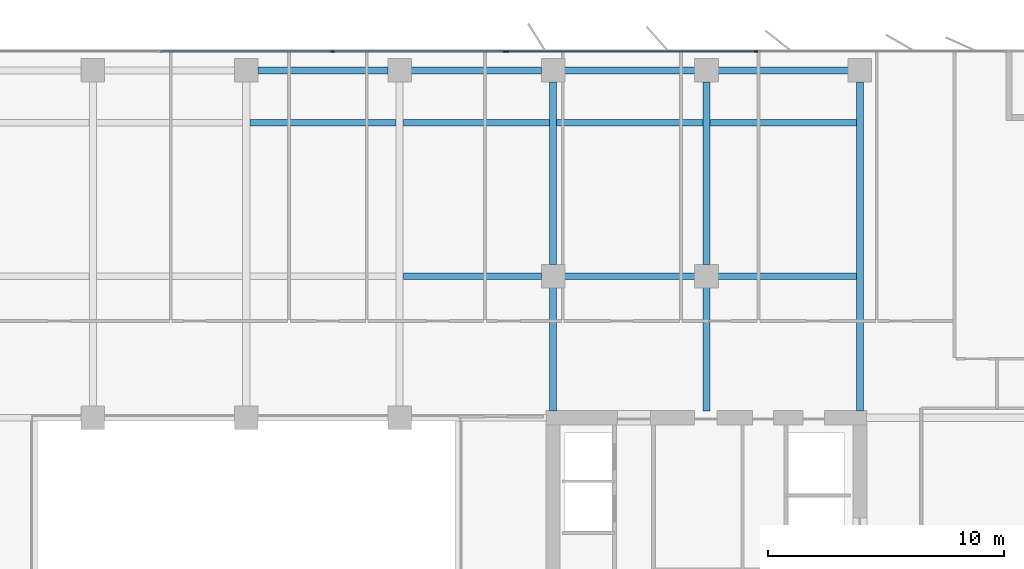
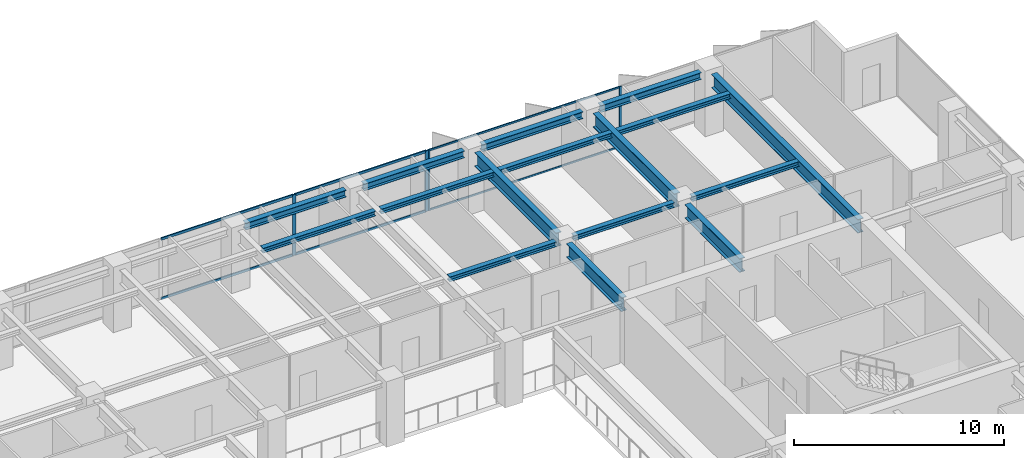
# One storey, part 10 of 22: 16 beams, 10 members, 2 elements without a shape of their own.
"""IFC4 building model written with IfcOpenShell, lengths in metres."""

import ifcopenshell
import ifcopenshell.guid

model = None  # the IFC model being written
_history = None  # IfcOwnerHistory: only IFC2X3 demands one
_inside = {}  # id of a spatial element -> (the spatial element, [elements in it])
_under = {}  # id of a project, library or spatial element -> (it, [spatial elements below it])
_declared = {}  # id of a project -> (the project, [libraries it declares])
_typed = {}  # id of a type object -> (the type object, [elements of that type])
_made_of = {}  # id of a material, layer set ... -> (it, [elements and type objects made of it])


def new_model(schema):
    """Start an empty IFC model of exactly this schema.

    Asked for "IFC4X3", IfcOpenShell would pick the latest addendum, in which some entities
    have other attributes; the version numbers below select the first issue.
    IFC2X3 requires an IfcOwnerHistory on every rooted entity: one is made here for all.
    """
    global model, _history
    if schema == "IFC4X3":
        model = ifcopenshell.file(schema_version=(4, 3, 0, 0))
    else:
        model = ifcopenshell.file(schema=schema)
    _inside.clear()
    _under.clear()
    _declared.clear()
    _typed.clear()
    _made_of.clear()
    _history = None
    if model.schema == "IFC2X3":
        org = make("IfcOrganization", Name="unknown")
        user = make(
            "IfcPersonAndOrganization",
            ThePerson=make("IfcPerson", FamilyName="unknown"),
            TheOrganization=org,
        )
        app = make(
            "IfcApplication",
            ApplicationDeveloper=org,
            Version="unknown",
            ApplicationFullName="unknown",
            ApplicationIdentifier="unknown",
        )
        _history = make(
            "IfcOwnerHistory",
            OwningUser=user,
            OwningApplication=app,
            ChangeAction="ADDED",
            CreationDate=0,
        )
    return model


def make(cls, **values):
    """One entity of the class cls with the attributes given. An attribute that is None is left unset."""
    return model.create_entity(
        cls, **{name: value for name, value in values.items() if value is not None}
    )


def rooted(cls, **values):
    """An entity with a GlobalId (a new one), such as an element, a storey or a relation."""
    return make(cls, GlobalId=ifcopenshell.guid.new(), OwnerHistory=_history, **values)


def si_unit(unit_type, name, prefix=None):
    """IfcSIUnit, for example si_unit("LENGTHUNIT", "METRE", prefix="MILLI")."""
    return make("IfcSIUnit", UnitType=unit_type, Prefix=prefix, Name=name)


def assignment(units):
    """IfcUnitAssignment: the units of a project."""
    return None if units is None else make("IfcUnitAssignment", Units=units)


def point(xyz):
    """IfcCartesianPoint."""
    return None if xyz is None else make("IfcCartesianPoint", Coordinates=xyz)


def direction(xyz):
    """IfcDirection."""
    return None if xyz is None else make("IfcDirection", DirectionRatios=xyz)


def frame(location, z_axis=None, x_axis=None):
    """IfcAxis2Placement3D, a coordinate frame: its origin and axes. An axis left out is left unset."""
    return make(
        "IfcAxis2Placement3D",
        Location=point(location),
        Axis=direction(z_axis),
        RefDirection=direction(x_axis),
    )


def frame_2d(location, x_axis=None):
    """IfcAxis2Placement2D, a coordinate frame in the plane: its origin and x axis."""
    return make(
        "IfcAxis2Placement2D", Location=point(location), RefDirection=direction(x_axis)
    )


def origin():
    """The frame at (0, 0, 0) with its axes left unset."""
    return frame((0.0, 0.0, 0.0))


def origin_2d():
    """The frame at (0, 0) in the plane with its x axis left unset."""
    return frame_2d((0.0, 0.0))


def place(relative_to, where):
    """IfcLocalPlacement: puts the frame where relative to a parent placement (None: the world)."""
    return make(
        "IfcLocalPlacement", PlacementRelTo=relative_to, RelativePlacement=where
    )


def context(
    kind, dimensions, precision=None, world=None, true_north=None, identifier=None
):
    """IfcGeometricRepresentationContext, for example the 3D "Model" context."""
    return make(
        "IfcGeometricRepresentationContext",
        ContextIdentifier=identifier,
        ContextType=kind,
        CoordinateSpaceDimension=dimensions,
        Precision=precision,
        WorldCoordinateSystem=world,
        TrueNorth=true_north,
    )


def subcontext(parent, identifier, kind, view, scale=None):
    """IfcGeometricRepresentationSubContext, for example "Body" below "Model"."""
    return make(
        "IfcGeometricRepresentationSubContext",
        ContextIdentifier=identifier,
        ContextType=kind,
        ParentContext=parent,
        TargetScale=scale,
        TargetView=view,
    )


def project(units=None, contexts=None):
    """IfcProject with its units and contexts."""
    return rooted(
        "IfcProject",
        Name="project",
        RepresentationContexts=contexts,
        UnitsInContext=assignment(units),
    )


def spatial(cls, under=None, at=None, **own):
    """A site, building, storey or space (cls), placed at a placement, below another one or the project."""
    s = rooted(cls, ObjectPlacement=at, **own)
    if under is not None:
        _under.setdefault(under.id(), (under, []))[1].append(s)
    return s


def profile(cls, at=None, kind="AREA", **sizes):
    """A parametric profile (cls). Its sizes go by their IFC names, for example OverallWidth=200.0."""
    return make(cls, ProfileType=kind, Position=at, **sizes)


def rectangle(**sizes):
    """IfcRectangleProfileDef."""
    return profile("IfcRectangleProfileDef", **sizes)


def i_section(**sizes):
    """IfcIShapeProfileDef."""
    return profile("IfcIShapeProfileDef", **sizes)


def extrude(swept, where, along, depth):
    """IfcExtrudedAreaSolid: the profile swept, set in the frame where, extruded along a direction by depth."""
    return make(
        "IfcExtrudedAreaSolid",
        SweptArea=swept,
        Position=where,
        ExtrudedDirection=direction(along),
        Depth=depth,
    )


def shape(context_of_items, identifier, shape_type, items):
    """IfcShapeRepresentation: the items that make up one representation, for example the "Body"."""
    return make(
        "IfcShapeRepresentation",
        ContextOfItems=context_of_items,
        RepresentationIdentifier=identifier,
        RepresentationType=shape_type,
        Items=items,
    )


def material(Name=None, Category=None):
    """IfcMaterial."""
    return make("IfcMaterial", Name=Name, Category=Category)


def layer(
    of_material, thickness, ventilated=None, Name=None, Category=None, Priority=None
):
    """IfcMaterialLayer: one layer of a wall or slab, of a material (None: an air gap)."""
    return make(
        "IfcMaterialLayer",
        Material=of_material,
        LayerThickness=thickness,
        IsVentilated=ventilated,
        Name=Name,
        Category=Category,
        Priority=Priority,
    )


def layer_set(layers, Name=None):
    """IfcMaterialLayerSet."""
    return make("IfcMaterialLayerSet", MaterialLayers=layers, LayerSetName=Name)


def material_profile(
    of_material, cross_section, Name=None, Category=None, Priority=None
):
    """IfcMaterialProfile: a cross section and its material."""
    return make(
        "IfcMaterialProfile",
        Name=Name,
        Material=of_material,
        Profile=cross_section,
        Priority=Priority,
        Category=Category,
    )


def profile_set(profiles, Name=None, composite=None):
    """IfcMaterialProfileSet."""
    return make(
        "IfcMaterialProfileSet",
        Name=Name,
        MaterialProfiles=profiles,
        CompositeProfile=composite,
    )


def made_of(thing, what):
    """Note that an element or type object is made of a material, layer set ...; save() writes the relation."""
    if what is not None:
        _made_of.setdefault(what.id(), (what, []))[1].append(thing)
    return thing


def type_object(cls, material=None, **own):
    """A type object (cls), such as IfcWallType, which elements share."""
    return made_of(rooted(cls, **own), material)


def element(
    cls,
    number,
    at=None,
    inside=None,
    cuts=None,
    type_object=None,
    material=None,
    context=None,
    identifier="Body",
    shape_type=None,
    held_by="IfcProductDefinitionShape",
    body=None,
    shapes=None,
    **own,
):
    """One element of the class cls, such as IfcWall. Its Tag is "e" and its number.

    at: its placement. inside: the storey or other place that contains it. cuts: it is an
    opening in that element (IfcRelVoidsElement). A single representation is given by context,
    identifier, shape_type and body (its items); several are given by shapes. held_by: the class
    of the entity that holds the representations. save() writes the other relations.
    """
    e = rooted(cls, Tag="e%d" % number, ObjectPlacement=at, **own)
    if body is not None:
        shapes = [shape(context, identifier, shape_type, body)]
    if shapes is not None:
        e.Representation = make(held_by, Representations=shapes)
    if inside is not None:
        _inside.setdefault(inside.id(), (inside, []))[1].append(e)
    if cuts is not None:
        rooted(
            "IfcRelVoidsElement", RelatingBuildingElement=cuts, RelatedOpeningElement=e
        )
    if type_object is not None:
        _typed.setdefault(type_object.id(), (type_object, []))[1].append(e)
    return made_of(e, material)


def aggregate(whole, parts):
    """IfcRelAggregates: a whole, such as a stair, and the parts it consists of."""
    return rooted("IfcRelAggregates", RelatingObject=whole, RelatedObjects=parts)


def save(model, path):
    """Write the relations noted so far, then the file.

    IfcRelAggregates (storeys below a building ...), IfcRelContainedInSpatialStructure (elements
    in a storey), IfcRelDefinesByType, IfcRelAssociatesMaterial and IfcRelDeclares: one each for
    every whole, place, type object, material and project.
    """
    for whole, parts in _under.values():
        aggregate(whole, parts)
    for where, things in _inside.values():
        rooted(
            "IfcRelContainedInSpatialStructure",
            RelatedElements=things,
            RelatingStructure=where,
        )
    for kind, things in _typed.values():
        rooted("IfcRelDefinesByType", RelatedObjects=things, RelatingType=kind)
    for what, things in _made_of.values():
        rooted("IfcRelAssociatesMaterial", RelatedObjects=things, RelatingMaterial=what)
    for by, libraries in _declared.values():
        rooted("IfcRelDeclares", RelatingContext=by, RelatedDefinitions=libraries)
    model.write(path)


model = new_model("IFC4")

# Units and contexts
model_context = context("Model", 3, precision=1e-05, world=origin(), true_north=direction((0.0, 1.0)))
body_context = subcontext(model_context, "Body", "Model", "MODEL_VIEW")
ifc_project = project(units=[si_unit("LENGTHUNIT", "METRE"), si_unit("AREAUNIT", "SQUARE_METRE"), si_unit("VOLUMEUNIT", "CUBIC_METRE"), si_unit("PLANEANGLEUNIT", "RADIAN"), si_unit("MASSUNIT", "GRAM", prefix="KILO")], contexts=[model_context])

# Site, building, storey
site_placement = place(None, origin())
site = spatial("IfcSite", under=ifc_project, at=site_placement, CompositionType="ELEMENT")
building_placement = place(site_placement, origin())
building = spatial("IfcBuilding", under=site, at=building_placement, Name="Putna Gate Headquarters", CompositionType="ELEMENT")
storey_placement = place(building_placement, frame((0.0, 0.0, 193.60009765625)))
storey = spatial("IfcBuildingStorey", under=building, at=storey_placement, Name="L48", CompositionType="ELEMENT", Elevation=193.60009765625)

# Beams
ifc_material_1 = material(Name="Steel S355J2", Category="steel")
ifc_material_profile_1 = material_profile(ifc_material_1, i_section(OverallWidth=0.300048828125, OverallDepth=0.800048828125, WebThickness=0.017578125, FlangeThickness=0.032958984375, at=origin_2d()), Name="Steel S355J2")
ifc_profile_set_1 = profile_set([ifc_material_profile_1], Name="Steel S355J2")
beam_type_1 = type_object("IfcBeamType", Name="BM-GIRD-P-HEB800", PredefinedType="USERDEFINED", material=ifc_profile_set_1)
beam_1_placement = place(storey_placement, frame((52.0, 33.284912109375, 3.119873046875), z_axis=(0.0, 1.0, 0.0), x_axis=(-1.0, 0.0, 0.0)))
element("IfcBeam", 1, at=beam_1_placement, inside=storey, type_object=beam_type_1, Name="L48 North Primary Girder X52-1", ObjectType="GIRDER", PredefinedType="USERDEFINED", context=body_context, shape_type="SweptSolid", body=[
    extrude(i_section(OverallWidth=0.300048828125, OverallDepth=0.800048828125, WebThickness=0.017578125, FlangeThickness=0.032958984375, at=origin_2d()), origin(), (0.0, 0.0, 1.0), 5.22705078125),
])
beam_2_placement = place(storey_placement, frame((52.0, 39.488037109375, 3.119873046875), z_axis=(0.0, 1.0, 0.0), x_axis=(-1.0, 0.0, 0.0)))
element("IfcBeam", 2, at=beam_2_placement, inside=storey, type_object=beam_type_1, Name="L48 North Primary Girder X52-2", ObjectType="GIRDER", PredefinedType="USERDEFINED", context=body_context, shape_type="SweptSolid", body=[
    extrude(i_section(OverallWidth=0.300048828125, OverallDepth=0.800048828125, WebThickness=0.017578125, FlangeThickness=0.032958984375, at=origin_2d()), origin(), (0.0, 0.0, 1.0), 7.743896484375),
])
beam_3_placement = place(storey_placement, frame((58.5, 33.284912109375, 3.119873046875), z_axis=(0.0, 1.0, 0.0), x_axis=(-1.0, 0.0, 0.0)))
element("IfcBeam", 3, at=beam_3_placement, inside=storey, type_object=beam_type_1, Name="L48 North Primary Girder X58-1", ObjectType="GIRDER", PredefinedType="USERDEFINED", context=body_context, shape_type="SweptSolid", body=[
    extrude(i_section(OverallWidth=0.300048828125, OverallDepth=0.800048828125, WebThickness=0.017578125, FlangeThickness=0.032958984375, at=origin_2d()), origin(), (0.0, 0.0, 1.0), 5.22705078125),
])
beam_4_placement = place(storey_placement, frame((58.5, 39.488037109375, 3.119873046875), z_axis=(0.0, 1.0, 0.0), x_axis=(-1.0, 0.0, 0.0)))
element("IfcBeam", 4, at=beam_4_placement, inside=storey, type_object=beam_type_1, Name="L48 North Primary Girder X58-2", ObjectType="GIRDER", PredefinedType="USERDEFINED", context=body_context, shape_type="SweptSolid", body=[
    extrude(i_section(OverallWidth=0.300048828125, OverallDepth=0.800048828125, WebThickness=0.017578125, FlangeThickness=0.032958984375, at=origin_2d()), origin(), (0.0, 0.0, 1.0), 7.743896484375),
])
beam_5_placement = place(storey_placement, frame((65.0, 33.284912109375, 3.119873046875), z_axis=(0.0, 1.0, 0.0), x_axis=(-1.0, 0.0, 0.0)))
element("IfcBeam", 5, at=beam_5_placement, inside=storey, type_object=beam_type_1, Name="L48 North Primary Girder X65", ObjectType="GIRDER", PredefinedType="USERDEFINED", context=body_context, shape_type="SweptSolid", body=[
    extrude(i_section(OverallWidth=0.300048828125, OverallDepth=0.800048828125, WebThickness=0.017578125, FlangeThickness=0.032958984375, at=origin_2d()), origin(), (0.0, 0.0, 1.0), 13.947021484375),
])
ifc_material_profile_2 = material_profile(ifc_material_1, i_section(OverallWidth=0.300048828125, OverallDepth=0.39990234375, WebThickness=0.013427734375, FlangeThickness=0.02392578125, at=origin_2d()), Name="Steel S355J2")
ifc_profile_set_2 = profile_set([ifc_material_profile_2], Name="Steel S355J2")
beam_type_2 = type_object("IfcBeamType", Name="BM-SPAN-Z3-HEB400", PredefinedType="SPANDREL", material=ifc_profile_set_2)
for number, where, z_axis, x_axis, name in (
    (6, (39.488037109375, 47.719970703125, 3.31982421875), (1.0, 0.0, 0.0), (0.0, 1.0, 0.0), "L48 N Perimeter Spandrel 5"),
    (7, (45.988037109375, 47.719970703125, 3.31982421875), (1.0, 0.0, 0.0), (0.0, 1.0, 0.0), "L48 N Perimeter Spandrel 6"),
    (8, (52.488037109375, 47.719970703125, 3.31982421875), (1.0, 0.0, 0.0), (0.0, 1.0, 0.0), "L48 N Perimeter Spandrel 7"),
    (9, (58.988037109375, 47.719970703125, 3.31982421875), (1.0, 0.0, 0.0), (0.0, 1.0, 0.0), "L48 N Perimeter Spandrel 8"),
):
    element("IfcBeam", number, at=place(storey_placement, frame(where, z_axis=z_axis, x_axis=x_axis)), inside=storey, type_object=beam_type_2, Name=name, PredefinedType="SPANDREL", context=body_context, shape_type="SweptSolid", body=[
        extrude(i_section(OverallWidth=0.300048828125, OverallDepth=0.39990234375, WebThickness=0.013427734375, FlangeThickness=0.02392578125, at=origin_2d()), origin(), (0.0, 0.0, 1.0), 5.52392578125),
    ])
ifc_material_profile_3 = material_profile(ifc_material_1, i_section(OverallWidth=0.280029296875, OverallDepth=0.280029296875, WebThickness=0.010498046875, FlangeThickness=0.01806640625, at=origin_2d()), Name="Steel S355J2")
ifc_profile_set_3 = profile_set([ifc_material_profile_3], Name="Steel S355J2")
beam_type_3 = type_object("IfcBeamType", Name="BM-SPAN-Z5-HEB280", PredefinedType="SPANDREL", material=ifc_profile_set_3)
beam_6_placement = place(storey_placement, frame((39.154052734375, 45.5, 3.3798828125), z_axis=(1.0, 0.0, 0.0), x_axis=(0.0, 1.0, 0.0)))
element("IfcBeam", 10, at=beam_6_placement, inside=storey, type_object=beam_type_3, Name="L48 North Secondary Beam 5", PredefinedType="SPANDREL", context=body_context, shape_type="SweptSolid", body=[
    extrude(i_section(OverallWidth=0.280029296875, OverallDepth=0.280029296875, WebThickness=0.010498046875, FlangeThickness=0.01806640625, at=origin_2d()), origin(), (0.0, 0.0, 1.0), 6.19189453125),
])
beam_7_placement = place(storey_placement, frame((45.654052734375, 39.0, 3.3798828125), z_axis=(1.0, 0.0, 0.0), x_axis=(0.0, 1.0, 0.0)))
element("IfcBeam", 11, at=beam_7_placement, inside=storey, type_object=beam_type_3, Name="L48 North Secondary Beam 6", PredefinedType="SPANDREL", context=body_context, shape_type="SweptSolid", body=[
    extrude(i_section(OverallWidth=0.280029296875, OverallDepth=0.280029296875, WebThickness=0.010498046875, FlangeThickness=0.01806640625, at=origin_2d()), origin(), (0.0, 0.0, 1.0), 5.85791015625),
])
beam_8_placement = place(storey_placement, frame((45.654052734375, 45.5, 3.3798828125), z_axis=(1.0, 0.0, 0.0), x_axis=(0.0, 1.0, 0.0)))
element("IfcBeam", 12, at=beam_8_placement, inside=storey, type_object=beam_type_3, Name="L48 North Secondary Beam 6", PredefinedType="SPANDREL", context=body_context, shape_type="SweptSolid", body=[
    extrude(i_section(OverallWidth=0.280029296875, OverallDepth=0.280029296875, WebThickness=0.010498046875, FlangeThickness=0.01806640625, at=origin_2d()), origin(), (0.0, 0.0, 1.0), 6.19189453125),
])
beam_9_placement = place(storey_placement, frame((52.488037109375, 39.0, 3.3798828125), z_axis=(1.0, 0.0, 0.0), x_axis=(0.0, 1.0, 0.0)))
element("IfcBeam", 13, at=beam_9_placement, inside=storey, type_object=beam_type_3, Name="L48 North Secondary Beam 7", PredefinedType="SPANDREL", context=body_context, shape_type="SweptSolid", body=[
    extrude(i_section(OverallWidth=0.280029296875, OverallDepth=0.280029296875, WebThickness=0.010498046875, FlangeThickness=0.01806640625, at=origin_2d()), origin(), (0.0, 0.0, 1.0), 5.52392578125),
])
beam_10_placement = place(storey_placement, frame((52.154052734375, 45.5, 3.3798828125), z_axis=(1.0, 0.0, 0.0), x_axis=(0.0, 1.0, 0.0)))
element("IfcBeam", 14, at=beam_10_placement, inside=storey, type_object=beam_type_3, Name="L48 North Secondary Beam 7", PredefinedType="SPANDREL", context=body_context, shape_type="SweptSolid", body=[
    extrude(i_section(OverallWidth=0.280029296875, OverallDepth=0.280029296875, WebThickness=0.010498046875, FlangeThickness=0.01806640625, at=origin_2d()), origin(), (0.0, 0.0, 1.0), 6.19189453125),
])
beam_11_placement = place(storey_placement, frame((58.988037109375, 39.0, 3.3798828125), z_axis=(1.0, 0.0, 0.0), x_axis=(0.0, 1.0, 0.0)))
element("IfcBeam", 15, at=beam_11_placement, inside=storey, type_object=beam_type_3, Name="L48 North Secondary Beam 8", PredefinedType="SPANDREL", context=body_context, shape_type="SweptSolid", body=[
    extrude(i_section(OverallWidth=0.280029296875, OverallDepth=0.280029296875, WebThickness=0.010498046875, FlangeThickness=0.01806640625, at=origin_2d()), origin(), (0.0, 0.0, 1.0), 5.85791015625),
])
beam_12_placement = place(storey_placement, frame((58.654052734375, 45.5, 3.3798828125), z_axis=(1.0, 0.0, 0.0), x_axis=(0.0, 1.0, 0.0)))
element("IfcBeam", 16, at=beam_12_placement, inside=storey, type_object=beam_type_3, Name="L48 North Secondary Beam 8", PredefinedType="SPANDREL", context=body_context, shape_type="SweptSolid", body=[
    extrude(i_section(OverallWidth=0.280029296875, OverallDepth=0.280029296875, WebThickness=0.010498046875, FlangeThickness=0.01806640625, at=origin_2d()), origin(), (0.0, 0.0, 1.0), 6.19189453125),
])

# Curtain wall, members
ifc_material_2 = material(Name="Anodised bronze aluminium curtain wall", Category="aluminium")
ifc_layer_1 = layer(ifc_material_2, 0.159912109375)
ifc_layer_set_1 = layer_set([ifc_layer_1], Name="Anodised bronze aluminium curtain wall")
curtain_wall_type_1 = type_object("IfcCurtainWallType", Name="CW-SYS-Z3", PredefinedType="USERDEFINED", material=ifc_layer_set_1)
curtain_wall_1_placement = place(storey_placement, origin())
curtain_wall_1 = element("IfcCurtainWall", 17, at=curtain_wall_1_placement, inside=storey, type_object=curtain_wall_type_1, Name="L48 North East Curtain Wall", ObjectType="STICK CURTAIN WALL", PredefinedType="USERDEFINED")
ifc_material_3 = material(Name="Anodised bronze aluminium EN AW-6060", Category="aluminium")
ifc_material_profile_4 = material_profile(ifc_material_3, rectangle(XDim=0.06494140625, YDim=0.159912109375, at=origin_2d()), Name="Anodised bronze aluminium EN AW-6060")
ifc_profile_set_4 = profile_set([ifc_material_profile_4], Name="Anodised bronze aluminium EN AW-6060")
member_type_1 = type_object("IfcMemberType", Name="MULL-CWM-3", PredefinedType="MULLION", material=ifc_profile_set_4)
member_1_placement = place(storey_placement, frame((50.032470703125, 48.52001953125, 0.0), z_axis=(0.0, 0.0, 1.0), x_axis=(0.0, 1.0, 0.0)))
member_1 = element("IfcMember", 18, at=member_1_placement, type_object=member_type_1, Name="CWS-3 mullion 1", PredefinedType="MULLION", context=body_context, shape_type="SweptSolid", body=[
    extrude(rectangle(XDim=0.06494140625, YDim=0.159912109375, at=origin_2d()), origin(), (0.0, 0.0, 1.0), 3.52001953125),
])
member_2_placement = place(storey_placement, frame((60.60009765625, 48.52001953125, 0.0), z_axis=(0.0, 0.0, 1.0), x_axis=(0.0, 1.0, 0.0)))
member_2 = element("IfcMember", 19, at=member_2_placement, type_object=member_type_1, Name="CWS-3 mullion 2", PredefinedType="MULLION", context=body_context, shape_type="SweptSolid", body=[
    extrude(rectangle(XDim=0.06494140625, YDim=0.159912109375, at=origin_2d()), origin(), (0.0, 0.0, 1.0), 3.52001953125),
])

ifc_layer_2 = layer(ifc_material_2, 0.179931640625)
ifc_layer_set_2 = layer_set([ifc_layer_2], Name="Anodised bronze aluminium curtain wall")
curtain_wall_type_2 = type_object("IfcCurtainWallType", Name="CW-SYS-ATR", PredefinedType="USERDEFINED", material=ifc_layer_set_2)
curtain_wall_2_placement = place(storey_placement, origin())
curtain_wall_2 = element("IfcCurtainWall", 20, at=curtain_wall_2_placement, inside=storey, type_object=curtain_wall_type_2, Name="L48 North Atrium Clear Glazing", ObjectType="ATRIUM GLAZING", PredefinedType="USERDEFINED")
ifc_material_profile_5 = material_profile(ifc_material_3, rectangle(XDim=0.070068359375, YDim=0.179931640625, at=origin_2d()), Name="Anodised bronze aluminium EN AW-6060")
ifc_profile_set_5 = profile_set([ifc_material_profile_5], Name="Anodised bronze aluminium EN AW-6060")
member_type_2 = type_object("IfcMemberType", Name="MULL-CWM-AT", PredefinedType="MULLION", material=ifc_profile_set_5)
member_3_placement = place(storey_placement, frame((42.666748046875, 48.52001953125, 0.0), z_axis=(0.0, 0.0, 1.0), x_axis=(0.0, 1.0, 0.0)))
member_3 = element("IfcMember", 21, at=member_3_placement, type_object=member_type_2, Name="CWS-AT mullion 3", PredefinedType="MULLION", context=body_context, shape_type="SweptSolid", body=[
    extrude(rectangle(XDim=0.070068359375, YDim=0.179931640625, at=origin_2d()), origin(), (0.0, 0.0, 1.0), 3.52001953125),
])
member_4_placement = place(storey_placement, frame((49.965087890625, 48.52001953125, 0.0), z_axis=(0.0, 0.0, 1.0), x_axis=(0.0, 1.0, 0.0)))
member_4 = element("IfcMember", 22, at=member_4_placement, type_object=member_type_2, Name="CWS-AT mullion 4", PredefinedType="MULLION", context=body_context, shape_type="SweptSolid", body=[
    extrude(rectangle(XDim=0.070068359375, YDim=0.179931640625, at=origin_2d()), origin(), (0.0, 0.0, 1.0), 3.52001953125),
])

# Member
ifc_material_profile_6 = material_profile(ifc_material_3, rectangle(XDim=0.06005859375, YDim=0.10009765625, at=origin_2d()), Name="Anodised bronze aluminium EN AW-6060")
ifc_profile_set_6 = profile_set([ifc_material_profile_6], Name="Anodised bronze aluminium EN AW-6060")
member_type_3 = type_object("IfcMemberType", Name="TRAN-CWT-3", PredefinedType="USERDEFINED", material=ifc_profile_set_6)
member_5_placement = place(storey_placement, frame((50.06494140625, 48.52001953125, 0.02978515625), z_axis=(1.0, 0.0, 0.0), x_axis=(0.0, 1.0, 0.0)))
member_5 = element("IfcMember", 23, at=member_5_placement, type_object=member_type_3, Name="CWS-3 transom 1.1", ObjectType="TRANSOM", PredefinedType="USERDEFINED", context=body_context, shape_type="SweptSolid", body=[
    extrude(rectangle(XDim=0.06005859375, YDim=0.10009765625, at=origin_2d()), origin(), (0.0, 0.0, 1.0), 10.50244140625),
])

member_6_placement = place(storey_placement, frame((50.06494140625, 48.52001953125, 3.489990234375), z_axis=(1.0, 0.0, 0.0), x_axis=(0.0, 1.0, 0.0)))
member_6 = element("IfcMember", 24, at=member_6_placement, type_object=member_type_3, Name="CWS-3 transom 1.2", ObjectType="TRANSOM", PredefinedType="USERDEFINED", context=body_context, shape_type="SweptSolid", body=[
    extrude(rectangle(XDim=0.06005859375, YDim=0.10009765625, at=origin_2d()), origin(), (0.0, 0.0, 1.0), 10.50244140625),
])

aggregate(curtain_wall_1, [member_1, member_2, member_5, member_6])

ifc_material_profile_7 = material_profile(ifc_material_3, rectangle(XDim=0.070068359375, YDim=0.139892578125, at=origin_2d()), Name="Anodised bronze aluminium EN AW-6060")
ifc_profile_set_7 = profile_set([ifc_material_profile_7], Name="Anodised bronze aluminium EN AW-6060")
member_type_4 = type_object("IfcMemberType", Name="TRAN-CWT-AT", PredefinedType="USERDEFINED", material=ifc_profile_set_7)
member_7_placement = place(storey_placement, frame((35.368408203125, 48.52001953125, 0.034912109375), z_axis=(1.0, 0.0, 0.0), x_axis=(0.0, 1.0, 0.0)))
member_7 = element("IfcMember", 25, at=member_7_placement, type_object=member_type_4, Name="CWS-AT transom 2.1", ObjectType="TRANSOM", PredefinedType="USERDEFINED", context=body_context, shape_type="SweptSolid", body=[
    extrude(rectangle(XDim=0.070068359375, YDim=0.139892578125, at=origin_2d()), origin(), (0.0, 0.0, 1.0), 7.26318359375),
])

member_8_placement = place(storey_placement, frame((35.368408203125, 48.52001953125, 3.48486328125), z_axis=(1.0, 0.0, 0.0), x_axis=(0.0, 1.0, 0.0)))
member_8 = element("IfcMember", 26, at=member_8_placement, type_object=member_type_4, Name="CWS-AT transom 2.2", ObjectType="TRANSOM", PredefinedType="USERDEFINED", context=body_context, shape_type="SweptSolid", body=[
    extrude(rectangle(XDim=0.070068359375, YDim=0.139892578125, at=origin_2d()), origin(), (0.0, 0.0, 1.0), 7.26318359375),
])

member_9_placement = place(storey_placement, frame((42.70166015625, 48.52001953125, 0.034912109375), z_axis=(1.0, 0.0, 0.0), x_axis=(0.0, 1.0, 0.0)))
member_9 = element("IfcMember", 27, at=member_9_placement, type_object=member_type_4, Name="CWS-AT transom 3.1", ObjectType="TRANSOM", PredefinedType="USERDEFINED", context=body_context, shape_type="SweptSolid", body=[
    extrude(rectangle(XDim=0.070068359375, YDim=0.139892578125, at=origin_2d()), origin(), (0.0, 0.0, 1.0), 7.228271484375),
])

member_10_placement = place(storey_placement, frame((42.70166015625, 48.52001953125, 3.48486328125), z_axis=(1.0, 0.0, 0.0), x_axis=(0.0, 1.0, 0.0)))
member_10 = element("IfcMember", 28, at=member_10_placement, type_object=member_type_4, Name="CWS-AT transom 3.2", ObjectType="TRANSOM", PredefinedType="USERDEFINED", context=body_context, shape_type="SweptSolid", body=[
    extrude(rectangle(XDim=0.070068359375, YDim=0.139892578125, at=origin_2d()), origin(), (0.0, 0.0, 1.0), 7.228271484375),
])

aggregate(curtain_wall_2, [member_3, member_4, member_7, member_8, member_9, member_10])

save(model, "model.ifc")
